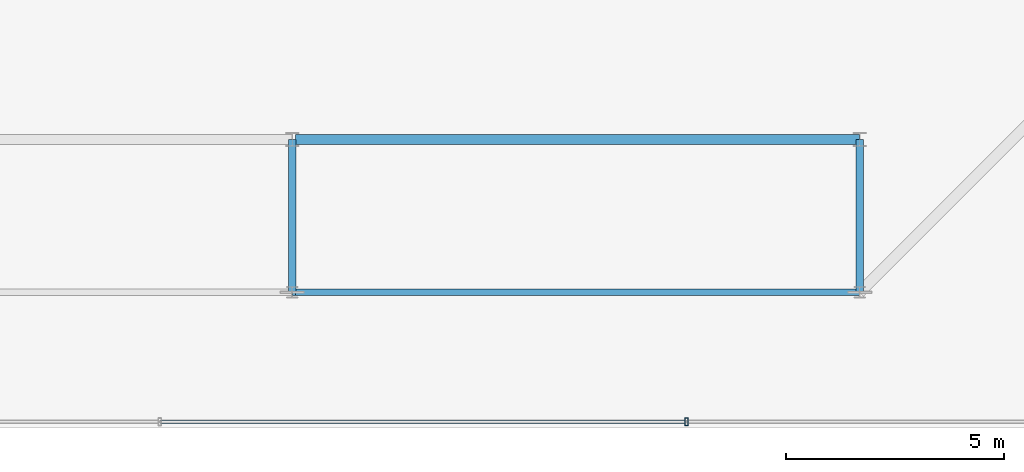
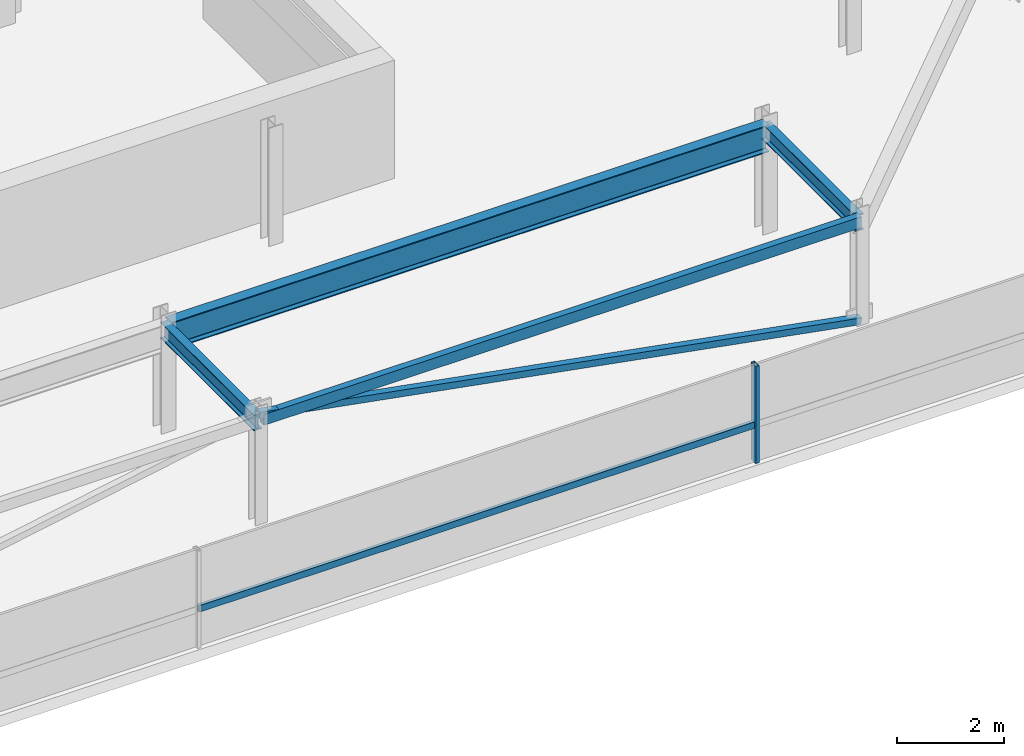
# One storey, part 12 of 44: 4 beams, 3 members, 1 element without a shape of its own.
"""IFC4 building model written with IfcOpenShell, lengths in metres."""

import ifcopenshell
import ifcopenshell.guid

model = None  # the IFC model being written
_history = None  # IfcOwnerHistory: only IFC2X3 demands one
_inside = {}  # id of a spatial element -> (the spatial element, [elements in it])
_under = {}  # id of a project, library or spatial element -> (it, [spatial elements below it])
_declared = {}  # id of a project -> (the project, [libraries it declares])
_typed = {}  # id of a type object -> (the type object, [elements of that type])
_made_of = {}  # id of a material, layer set ... -> (it, [elements and type objects made of it])


def new_model(schema):
    """Start an empty IFC model of exactly this schema.

    Asked for "IFC4X3", IfcOpenShell would pick the latest addendum, in which some entities
    have other attributes; the version numbers below select the first issue.
    IFC2X3 requires an IfcOwnerHistory on every rooted entity: one is made here for all.
    """
    global model, _history
    if schema == "IFC4X3":
        model = ifcopenshell.file(schema_version=(4, 3, 0, 0))
    else:
        model = ifcopenshell.file(schema=schema)
    _inside.clear()
    _under.clear()
    _declared.clear()
    _typed.clear()
    _made_of.clear()
    _history = None
    if model.schema == "IFC2X3":
        org = make("IfcOrganization", Name="unknown")
        user = make(
            "IfcPersonAndOrganization",
            ThePerson=make("IfcPerson", FamilyName="unknown"),
            TheOrganization=org,
        )
        app = make(
            "IfcApplication",
            ApplicationDeveloper=org,
            Version="unknown",
            ApplicationFullName="unknown",
            ApplicationIdentifier="unknown",
        )
        _history = make(
            "IfcOwnerHistory",
            OwningUser=user,
            OwningApplication=app,
            ChangeAction="ADDED",
            CreationDate=0,
        )
    return model


def make(cls, **values):
    """One entity of the class cls with the attributes given. An attribute that is None is left unset."""
    return model.create_entity(
        cls, **{name: value for name, value in values.items() if value is not None}
    )


def rooted(cls, **values):
    """An entity with a GlobalId (a new one), such as an element, a storey or a relation."""
    return make(cls, GlobalId=ifcopenshell.guid.new(), OwnerHistory=_history, **values)


def si_unit(unit_type, name, prefix=None):
    """IfcSIUnit, for example si_unit("LENGTHUNIT", "METRE", prefix="MILLI")."""
    return make("IfcSIUnit", UnitType=unit_type, Prefix=prefix, Name=name)


def assignment(units):
    """IfcUnitAssignment: the units of a project."""
    return None if units is None else make("IfcUnitAssignment", Units=units)


def point(xyz):
    """IfcCartesianPoint."""
    return None if xyz is None else make("IfcCartesianPoint", Coordinates=xyz)


def direction(xyz):
    """IfcDirection."""
    return None if xyz is None else make("IfcDirection", DirectionRatios=xyz)


def frame(location, z_axis=None, x_axis=None):
    """IfcAxis2Placement3D, a coordinate frame: its origin and axes. An axis left out is left unset."""
    return make(
        "IfcAxis2Placement3D",
        Location=point(location),
        Axis=direction(z_axis),
        RefDirection=direction(x_axis),
    )


def frame_2d(location, x_axis=None):
    """IfcAxis2Placement2D, a coordinate frame in the plane: its origin and x axis."""
    return make(
        "IfcAxis2Placement2D", Location=point(location), RefDirection=direction(x_axis)
    )


def origin():
    """The frame at (0, 0, 0) with its axes left unset."""
    return frame((0.0, 0.0, 0.0))


def origin_2d():
    """The frame at (0, 0) in the plane with its x axis left unset."""
    return frame_2d((0.0, 0.0))


def place(relative_to, where):
    """IfcLocalPlacement: puts the frame where relative to a parent placement (None: the world)."""
    return make(
        "IfcLocalPlacement", PlacementRelTo=relative_to, RelativePlacement=where
    )


def context(
    kind, dimensions, precision=None, world=None, true_north=None, identifier=None
):
    """IfcGeometricRepresentationContext, for example the 3D "Model" context."""
    return make(
        "IfcGeometricRepresentationContext",
        ContextIdentifier=identifier,
        ContextType=kind,
        CoordinateSpaceDimension=dimensions,
        Precision=precision,
        WorldCoordinateSystem=world,
        TrueNorth=true_north,
    )


def subcontext(parent, identifier, kind, view, scale=None):
    """IfcGeometricRepresentationSubContext, for example "Body" below "Model"."""
    return make(
        "IfcGeometricRepresentationSubContext",
        ContextIdentifier=identifier,
        ContextType=kind,
        ParentContext=parent,
        TargetScale=scale,
        TargetView=view,
    )


def project(units=None, contexts=None):
    """IfcProject with its units and contexts."""
    return rooted(
        "IfcProject",
        Name="project",
        RepresentationContexts=contexts,
        UnitsInContext=assignment(units),
    )


def spatial(cls, under=None, at=None, **own):
    """A site, building, storey or space (cls), placed at a placement, below another one or the project."""
    s = rooted(cls, ObjectPlacement=at, **own)
    if under is not None:
        _under.setdefault(under.id(), (under, []))[1].append(s)
    return s


def profile(cls, at=None, kind="AREA", **sizes):
    """A parametric profile (cls). Its sizes go by their IFC names, for example OverallWidth=200.0."""
    return make(cls, ProfileType=kind, Position=at, **sizes)


def hollow_rectangle(**sizes):
    """IfcRectangleHollowProfileDef."""
    return profile("IfcRectangleHollowProfileDef", **sizes)


def i_section(**sizes):
    """IfcIShapeProfileDef."""
    return profile("IfcIShapeProfileDef", **sizes)


def extrude(swept, where, along, depth):
    """IfcExtrudedAreaSolid: the profile swept, set in the frame where, extruded along a direction by depth."""
    return make(
        "IfcExtrudedAreaSolid",
        SweptArea=swept,
        Position=where,
        ExtrudedDirection=direction(along),
        Depth=depth,
    )


def shape(context_of_items, identifier, shape_type, items):
    """IfcShapeRepresentation: the items that make up one representation, for example the "Body"."""
    return make(
        "IfcShapeRepresentation",
        ContextOfItems=context_of_items,
        RepresentationIdentifier=identifier,
        RepresentationType=shape_type,
        Items=items,
    )


def material(Name=None, Category=None):
    """IfcMaterial."""
    return make("IfcMaterial", Name=Name, Category=Category)


def material_profile(
    of_material, cross_section, Name=None, Category=None, Priority=None
):
    """IfcMaterialProfile: a cross section and its material."""
    return make(
        "IfcMaterialProfile",
        Name=Name,
        Material=of_material,
        Profile=cross_section,
        Priority=Priority,
        Category=Category,
    )


def profile_set(profiles, Name=None, composite=None):
    """IfcMaterialProfileSet."""
    return make(
        "IfcMaterialProfileSet",
        Name=Name,
        MaterialProfiles=profiles,
        CompositeProfile=composite,
    )


def made_of(thing, what):
    """Note that an element or type object is made of a material, layer set ...; save() writes the relation."""
    if what is not None:
        _made_of.setdefault(what.id(), (what, []))[1].append(thing)
    return thing


def type_object(cls, material=None, **own):
    """A type object (cls), such as IfcWallType, which elements share."""
    return made_of(rooted(cls, **own), material)


def element(
    cls,
    number,
    at=None,
    inside=None,
    cuts=None,
    type_object=None,
    material=None,
    context=None,
    identifier="Body",
    shape_type=None,
    held_by="IfcProductDefinitionShape",
    body=None,
    shapes=None,
    **own,
):
    """One element of the class cls, such as IfcWall. Its Tag is "e" and its number.

    at: its placement. inside: the storey or other place that contains it. cuts: it is an
    opening in that element (IfcRelVoidsElement). A single representation is given by context,
    identifier, shape_type and body (its items); several are given by shapes. held_by: the class
    of the entity that holds the representations. save() writes the other relations.
    """
    e = rooted(cls, Tag="e%d" % number, ObjectPlacement=at, **own)
    if body is not None:
        shapes = [shape(context, identifier, shape_type, body)]
    if shapes is not None:
        e.Representation = make(held_by, Representations=shapes)
    if inside is not None:
        _inside.setdefault(inside.id(), (inside, []))[1].append(e)
    if cuts is not None:
        rooted(
            "IfcRelVoidsElement", RelatingBuildingElement=cuts, RelatedOpeningElement=e
        )
    if type_object is not None:
        _typed.setdefault(type_object.id(), (type_object, []))[1].append(e)
    return made_of(e, material)


def aggregate(whole, parts):
    """IfcRelAggregates: a whole, such as a stair, and the parts it consists of."""
    return rooted("IfcRelAggregates", RelatingObject=whole, RelatedObjects=parts)


def save(model, path):
    """Write the relations noted so far, then the file.

    IfcRelAggregates (storeys below a building ...), IfcRelContainedInSpatialStructure (elements
    in a storey), IfcRelDefinesByType, IfcRelAssociatesMaterial and IfcRelDeclares: one each for
    every whole, place, type object, material and project.
    """
    for whole, parts in _under.values():
        aggregate(whole, parts)
    for where, things in _inside.values():
        rooted(
            "IfcRelContainedInSpatialStructure",
            RelatedElements=things,
            RelatingStructure=where,
        )
    for kind, things in _typed.values():
        rooted("IfcRelDefinesByType", RelatedObjects=things, RelatingType=kind)
    for what, things in _made_of.values():
        rooted("IfcRelAssociatesMaterial", RelatedObjects=things, RelatingMaterial=what)
    for by, libraries in _declared.values():
        rooted("IfcRelDeclares", RelatingContext=by, RelatedDefinitions=libraries)
    model.write(path)


model = new_model("IFC4")

# Units and contexts
model_context = context("Model", 3, precision=1e-05, world=origin(), true_north=direction((0.0, 1.0)))
body_context = subcontext(model_context, "Body", "Model", "MODEL_VIEW")
ifc_project = project(units=[si_unit("LENGTHUNIT", "METRE"), si_unit("AREAUNIT", "SQUARE_METRE"), si_unit("VOLUMEUNIT", "CUBIC_METRE"), si_unit("PLANEANGLEUNIT", "RADIAN"), si_unit("MASSUNIT", "GRAM", prefix="KILO")], contexts=[model_context])

# Site, building, storey
site_placement = place(None, origin())
site = spatial("IfcSite", under=ifc_project, at=site_placement, CompositionType="ELEMENT")
building_placement = place(site_placement, origin())
building = spatial("IfcBuilding", under=site, at=building_placement, Name="Thornwick Lancets Civic Towers", CompositionType="ELEMENT")
storey_placement = place(building_placement, frame((0.0, 0.0, 294.89990234375)))
storey = spatial("IfcBuildingStorey", under=building, at=storey_placement, Name="C06", CompositionType="ELEMENT", Elevation=294.89990234375)

# Beams
ifc_material_1 = material(Name="Steel S355JR", Category="steel")
ifc_material_profile_1 = material_profile(ifc_material_1, hollow_rectangle(XDim=0.14990234375, YDim=0.25, WallThickness=0.012451171875, at=origin_2d()), Name="RHS 250x150x12.5")
ifc_profile_set_1 = profile_set([ifc_material_profile_1], Name="Steel S355JR")
beam_type_1 = type_object("IfcBeamType", Name="BM_CROWN_RHS250", PredefinedType="BEAM", material=ifc_profile_set_1)
beam_1_placement = place(storey_placement, frame((25.580078125, 6.199951171875, 2.315185546875), z_axis=(1.0, 0.0, 0.0), x_axis=(0.0, 1.0, 0.0)))
element("IfcBeam", 1, at=beam_1_placement, inside=storey, type_object=beam_type_1, Name="BM-EDGE-C06-A-S0-2", PredefinedType="BEAM", context=body_context, shape_type="SweptSolid", body=[
    extrude(hollow_rectangle(XDim=0.14990234375, YDim=0.25, WallThickness=0.012451171875, at=origin_2d()), origin(), (0.0, 0.0, 1.0), 12.919921875),
])
ifc_material_profile_2 = material_profile(ifc_material_1, i_section(OverallWidth=0.230224609375, OverallDepth=0.6171875, WebThickness=0.01318359375, FlangeThickness=0.022216796875, FilletRadius=0.0126953125, at=origin_2d()), Name="UKB 610x229x140")
ifc_profile_set_2 = profile_set([ifc_material_profile_2], Name="Steel S355JR")
beam_type_2 = type_object("IfcBeamType", Name="BM_GIRD_610_140", PredefinedType="BEAM", material=ifc_profile_set_2)
beam_2_placement = place(storey_placement, frame((25.580078125, 9.699951171875, 2.131591796875), z_axis=(1.0, 0.0, 0.0), x_axis=(0.0, 1.0, 0.0)))
element("IfcBeam", 2, at=beam_2_placement, inside=storey, type_object=beam_type_2, Name="BM-SPINE-C06-A-1-2", PredefinedType="BEAM", context=body_context, shape_type="SweptSolid", body=[
    extrude(i_section(OverallWidth=0.230224609375, OverallDepth=0.6171875, WebThickness=0.01318359375, FlangeThickness=0.022216796875, FilletRadius=0.0126953125, at=origin_2d()), origin(), (0.0, 0.0, 1.0), 12.919921875),
])
ifc_material_profile_3 = material_profile(ifc_material_1, i_section(OverallWidth=0.173095703125, OverallDepth=0.36328125, WebThickness=0.009033203125, FlangeThickness=0.015625, FilletRadius=0.01025390625, at=origin_2d()), Name="UKB 356x171x67")
ifc_profile_set_3 = profile_set([ifc_material_profile_3], Name="Steel S355JR")
beam_type_3 = type_object("IfcBeamType", Name="BM_JOIST_356_67", PredefinedType="JOIST", material=ifc_profile_set_3)
for number, where, z_axis, x_axis, name in (
    (3, (25.5, 9.699951171875, 2.25830078125), (0.0, -1.0, 0.0), (1.0, 0.0, 0.0), "BM-RAD-C06-A02"),
    (4, (38.5, 9.699951171875, 2.25830078125), (0.0, -1.0, 0.0), (1.0, 0.0, 0.0), "BM-RAD-C06-A03"),
):
    element("IfcBeam", number, at=place(storey_placement, frame(where, z_axis=z_axis, x_axis=x_axis)), inside=storey, type_object=beam_type_3, Name=name, PredefinedType="JOIST", context=body_context, shape_type="SweptSolid", body=[
        extrude(i_section(OverallWidth=0.173095703125, OverallDepth=0.36328125, WebThickness=0.009033203125, FlangeThickness=0.015625, FilletRadius=0.01025390625, at=origin_2d()), origin(), (0.0, 0.0, 1.0), 3.5),
    ])

# Curtain wall, members
ifc_material_2 = material(Name="Crown ring acoustic-louvre and glazing screen wall", Category="glass")
curtain_wall_type = type_object("IfcCurtainWallType", Name="CW_SYS_07", PredefinedType="NOTDEFINED", material=ifc_material_2)
curtain_wall_placement = place(storey_placement, origin())
curtain_wall = element("IfcCurtainWall", 5, at=curtain_wall_placement, inside=storey, type_object=curtain_wall_type, Name="C06 Curtain Wall CW-C06-A-E0", PredefinedType="NOTDEFINED")
ifc_material_3 = material(Name="Thermally broken bronze aluminium S355", Category="steel")
ifc_material_profile_4 = material_profile(ifc_material_3, hollow_rectangle(XDim=0.074951171875, YDim=0.179931640625, WallThickness=0.006103515625, at=origin_2d()), Name="RHS 180x75x6")
ifc_profile_set_4 = profile_set([ifc_material_profile_4], Name="Thermally broken bronze aluminium S355")
member_type_1 = type_object("IfcMemberType", Name="CW_MUL_180", PredefinedType="MULLION", material=ifc_profile_set_4)
member_1_placement = place(storey_placement, frame((34.53369140625, 3.2353515625, 0.0), z_axis=(0.0, 0.0, 1.0), x_axis=(1.0, 0.0, 0.0)))
member_1 = element("IfcMember", 6, at=member_1_placement, type_object=member_type_1, Name="CW-C06-A-E0 Mullion 2", PredefinedType="MULLION", context=body_context, shape_type="SweptSolid", body=[
    extrude(hollow_rectangle(XDim=0.074951171875, YDim=0.179931640625, WallThickness=0.006103515625, at=origin_2d()), origin(), (0.0, 0.0, 1.0), 2.22021484375),
])
ifc_material_profile_5 = material_profile(ifc_material_3, hollow_rectangle(XDim=0.074951171875, YDim=0.14990234375, WallThickness=0.0048828125, at=origin_2d()), Name="RHS 150x75x5")
ifc_profile_set_5 = profile_set([ifc_material_profile_5], Name="Thermally broken bronze aluminium S355")
member_type_2 = type_object("IfcMemberType", Name="CW_TRN_150", PredefinedType="USERDEFINED", material=ifc_profile_set_5)
member_2_placement = place(storey_placement, frame((22.486083984375, 3.2353515625, 0.85009765625), z_axis=(1.0, 0.0, 0.0), x_axis=(0.0, 1.0, 0.0)))
member_2 = element("IfcMember", 7, at=member_2_placement, type_object=member_type_2, Name="CW-C06-A-E0 Transom 1", ObjectType="TRANSOM", PredefinedType="USERDEFINED", context=body_context, shape_type="SweptSolid", body=[
    extrude(hollow_rectangle(XDim=0.074951171875, YDim=0.14990234375, WallThickness=0.0048828125, at=origin_2d()), origin(), (0.0, 0.0, 1.0), 12.02783203125),
])
aggregate(curtain_wall, [member_1, member_2])

# Member
ifc_material_profile_6 = material_profile(ifc_material_1, hollow_rectangle(XDim=0.14990234375, YDim=0.14990234375, WallThickness=0.010009765625, at=origin_2d()), Name="SHS 150x150x10")
ifc_profile_set_6 = profile_set([ifc_material_profile_6], Name="Steel S355JR")
member_type_3 = type_object("IfcMemberType", Name="MEM_CROWN_SHS150", PredefinedType="BRACE", material=ifc_profile_set_6)
member_3_placement = place(storey_placement, frame((38.5, 6.199951171875, 0.050048828125), z_axis=(-0.983515136313, 0.0, 0.180825818519), x_axis=(0.0, -1.0, 0.0)))
element("IfcMember", 8, at=member_3_placement, inside=storey, type_object=member_type_3, Name="C06 Crown Ring Lancet Rib A-S0-R", PredefinedType="BRACE", context=body_context, shape_type="SweptSolid", body=[
    extrude(hollow_rectangle(XDim=0.14990234375, YDim=0.14990234375, WallThickness=0.010009765625, at=origin_2d()), origin(), (0.0, 0.0, 1.0), 13.2177734375),
])

save(model, "model.ifc")
